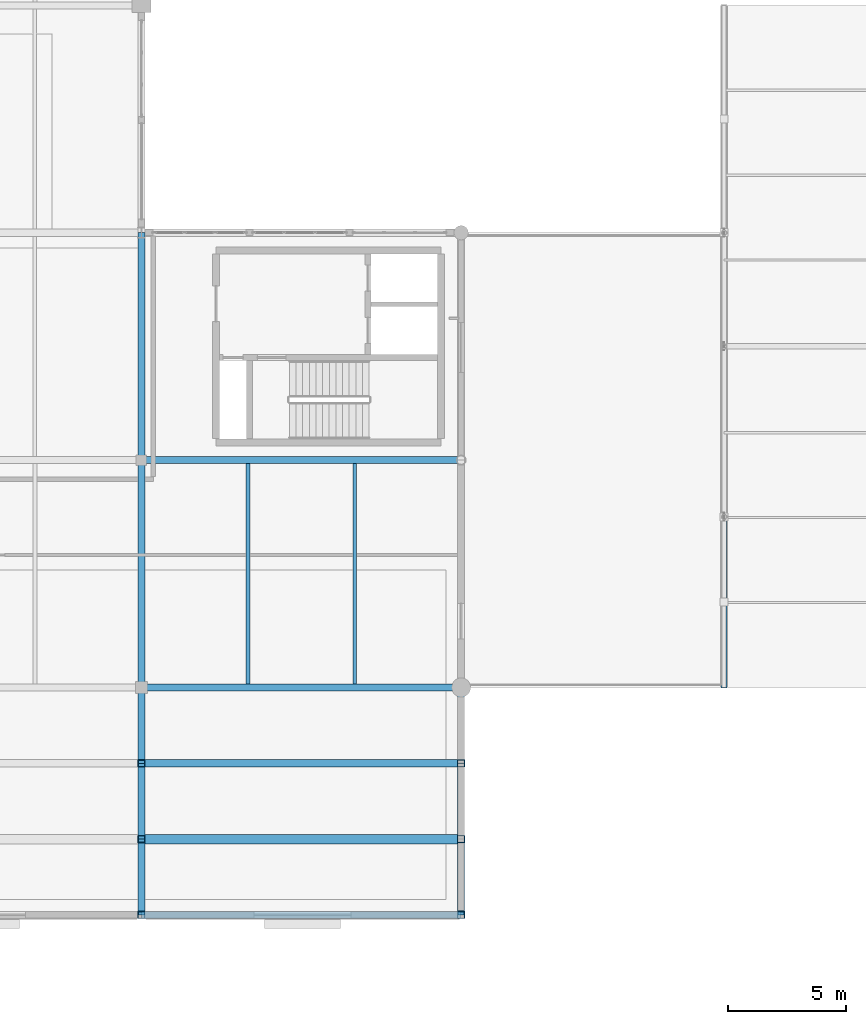
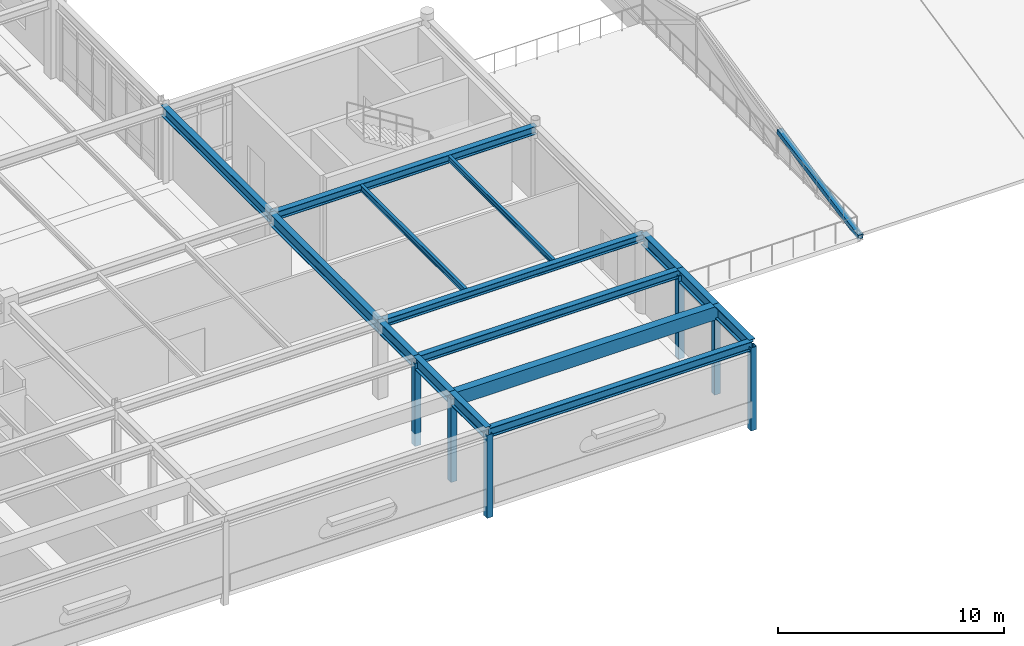
# One storey, part 19 of 61: 15 beams, 7 members.
"""IFC4 building model written with IfcOpenShell, lengths in metres."""

from ifc_helpers import new_model, si_unit, direction, frame, origin, origin_2d, place, context, subcontext, project, spatial, rectangle, hollow_rectangle, i_section, extrude, material, material_profile, profile_set, type_object, element, save


model = new_model("IFC4")

# Units and contexts
model_context = context("Model", 3, precision=1e-05, world=origin(), true_north=direction((0.0, 1.0)))
body_context = subcontext(model_context, "Body", "Model", "MODEL_VIEW")
ifc_project = project(units=[si_unit("LENGTHUNIT", "METRE"), si_unit("AREAUNIT", "SQUARE_METRE"), si_unit("VOLUMEUNIT", "CUBIC_METRE"), si_unit("PLANEANGLEUNIT", "RADIAN"), si_unit("MASSUNIT", "GRAM", prefix="KILO")], contexts=[model_context])

# Site, building, storey
site_placement = place(None, origin())
site = spatial("IfcSite", under=ifc_project, at=site_placement, CompositionType="ELEMENT")
building_placement = place(site_placement, origin())
building = spatial("IfcBuilding", under=site, at=building_placement, Name="Fikremerkos Civic Library", CompositionType="ELEMENT")
storey_placement = place(building_placement, frame((0.0, 0.0, 14.39990234375)))
storey = spatial("IfcBuildingStorey", under=building, at=storey_placement, Name="L03", CompositionType="ELEMENT", Elevation=14.39990234375)

# Beams
ifc_material_1 = material(Name="Steel S355", Category="steel")
ifc_material_profile_1 = material_profile(ifc_material_1, i_section(OverallWidth=0.159912109375, OverallDepth=0.330078125, WebThickness=0.007568359375, FlangeThickness=0.011474609375, FilletRadius=0.01806640625, at=origin_2d()), Name="IPE 330")
ifc_profile_set_1 = profile_set([ifc_material_profile_1], Name="Steel S355")
beam_type_1 = type_object("IfcBeamType", Name="Floor joist JS-10 IPE 330", PredefinedType="JOIST", material=ifc_profile_set_1)
beam_1_placement = place(storey_placement, frame((104.699951171875, 12.14990234375, 3.9951171875), z_axis=(0.0, 1.0, 0.0), x_axis=(-1.0, 0.0, 0.0)))
element("IfcBeam", 1, at=beam_1_placement, inside=storey, type_object=beam_type_1, Name="Floor joist JS-10 L03 #572", PredefinedType="JOIST", context=body_context, shape_type="SweptSolid", body=[
    extrude(i_section(OverallWidth=0.159912109375, OverallDepth=0.330078125, WebThickness=0.007568359375, FlangeThickness=0.011474609375, FilletRadius=0.01806640625, at=origin_2d()), origin(), (0.0, 0.0, 1.0), 9.300048828125),
])
ifc_material_profile_2 = material_profile(ifc_material_1, i_section(OverallWidth=0.14990234375, OverallDepth=0.300048828125, WebThickness=0.007080078125, FlangeThickness=0.0107421875, FilletRadius=0.014892578125, at=origin_2d()), Name="IPE 300")
ifc_profile_set_2 = profile_set([ifc_material_profile_2], Name="Steel S355")
beam_type_2 = type_object("IfcBeamType", Name="Floor joist JS-11 IPE 300", PredefinedType="JOIST", material=ifc_profile_set_2)
beam_2_placement = place(storey_placement, frame((109.199951171875, 12.14990234375, 4.010009765625), z_axis=(0.0, 1.0, 0.0), x_axis=(-1.0, 0.0, 0.0)))
element("IfcBeam", 2, at=beam_2_placement, inside=storey, type_object=beam_type_2, Name="Floor joist JS-11 L03 #573", PredefinedType="JOIST", context=body_context, shape_type="SweptSolid", body=[
    extrude(i_section(OverallWidth=0.14990234375, OverallDepth=0.300048828125, WebThickness=0.007080078125, FlangeThickness=0.0107421875, FilletRadius=0.014892578125, at=origin_2d()), origin(), (0.0, 0.0, 1.0), 9.300048828125),
])

# Members
ifc_material_profile_3 = material_profile(ifc_material_1, hollow_rectangle(XDim=0.300048828125, YDim=0.300048828125, WallThickness=0.012451171875, at=origin_2d()), Name="SHS 300x300x12.5")
ifc_profile_set_3 = profile_set([ifc_material_profile_3], Name="Steel S355")
member_type_1 = type_object("IfcMemberType", Name="Frame post PST-01 SHS 300x300x12.5", PredefinedType="POST", material=ifc_profile_set_3)
for number, where, z_axis, x_axis, name in (
    (3, (100.199951171875, 8.800048828125, -0.664794921875), (0.0, 0.0, 1.0), (1.0, 0.0, 0.0), "Cantilever frame post PST-01 L03 X=100.2 Y=8.8"),
    (4, (100.199951171875, 5.60009765625, -0.664794921875), (0.0, 0.0, 1.0), (1.0, 0.0, 0.0), "Cantilever frame post PST-01 L03 X=100.2 Y=5.6"),
    (5, (100.199951171875, 2.39990234375, -0.664794921875), (0.0, 0.0, 1.0), (1.0, 0.0, 0.0), "Cantilever frame post PST-01 L03 X=100.2 Y=2.4"),
    (6, (113.699951171875, 8.800048828125, -0.664794921875), (0.0, 0.0, 1.0), (1.0, 0.0, 0.0), "Cantilever frame post PST-01 L03 X=113.7 Y=8.8"),
    (7, (113.699951171875, 5.60009765625, -0.664794921875), (0.0, 0.0, 1.0), (1.0, 0.0, 0.0), "Cantilever frame post PST-01 L03 X=113.7 Y=5.6"),
    (8, (113.699951171875, 2.39990234375, -0.664794921875), (0.0, 0.0, 1.0), (1.0, 0.0, 0.0), "Cantilever frame post PST-01 L03 X=113.7 Y=2.4"),
):
    element("IfcMember", number, at=place(storey_placement, frame(where, z_axis=z_axis, x_axis=x_axis)), inside=storey, type_object=member_type_1, Name=name, PredefinedType="POST", context=body_context, shape_type="SweptSolid", body=[
        extrude(hollow_rectangle(XDim=0.300048828125, YDim=0.300048828125, WallThickness=0.012451171875, at=origin_2d()), origin(), (0.0, 0.0, 1.0), 4.5),
    ])

# Beams
ifc_material_profile_4 = material_profile(ifc_material_1, i_section(OverallWidth=0.300048828125, OverallDepth=0.64990234375, WebThickness=0.01611328125, FlangeThickness=0.031005859375, FilletRadius=0.027099609375, at=origin_2d()), Name="HEB 650")
ifc_profile_set_4 = profile_set([ifc_material_profile_4], Name="Steel S355")
beam_type_3 = type_object("IfcBeamType", Name="Primary girder BM-12 HEB 650", PredefinedType="BEAM", material=ifc_profile_set_4)
beam_3_placement = place(storey_placement, frame((100.199951171875, 12.0, 3.835205078125), z_axis=(0.0, 1.0, 0.0), x_axis=(-1.0, 0.0, 0.0)))
element("IfcBeam", 9, at=beam_3_placement, inside=storey, type_object=beam_type_3, Name="Primary girder BM-12 L03 grid 9", PredefinedType="BEAM", context=body_context, shape_type="SweptSolid", body=[
    extrude(i_section(OverallWidth=0.300048828125, OverallDepth=0.64990234375, WebThickness=0.01611328125, FlangeThickness=0.031005859375, FilletRadius=0.027099609375, at=origin_2d()), origin(), (0.0, 0.0, 1.0), 9.60009765625),
])
ifc_material_profile_5 = material_profile(ifc_material_1, i_section(OverallWidth=0.300048828125, OverallDepth=0.550048828125, WebThickness=0.014892578125, FlangeThickness=0.029052734375, FilletRadius=0.027099609375, at=origin_2d()), Name="HEB 550")
ifc_profile_set_5 = profile_set([ifc_material_profile_5], Name="Steel S355")
beam_type_4 = type_object("IfcBeamType", Name="Primary girder BM-14 HEB 550", PredefinedType="BEAM", material=ifc_profile_set_5)
beam_4_placement = place(storey_placement, frame((100.199951171875, 21.60009765625, 3.885009765625), z_axis=(0.0, 1.0, 0.0), x_axis=(-1.0, 0.0, 0.0)))
element("IfcBeam", 10, at=beam_4_placement, inside=storey, type_object=beam_type_4, Name="Primary girder BM-14 L03 grid 9", PredefinedType="BEAM", context=body_context, shape_type="SweptSolid", body=[
    extrude(i_section(OverallWidth=0.300048828125, OverallDepth=0.550048828125, WebThickness=0.014892578125, FlangeThickness=0.029052734375, FilletRadius=0.027099609375, at=origin_2d()), origin(), (0.0, 0.0, 1.0), 9.599853515625),
])
ifc_material_profile_6 = material_profile(ifc_material_1, i_section(OverallWidth=0.300048828125, OverallDepth=0.43994140625, WebThickness=0.011474609375, FlangeThickness=0.02099609375, FilletRadius=0.027099609375, at=origin_2d()), Name="HEA 450")
ifc_profile_set_6 = profile_set([ifc_material_profile_6], Name="Steel S355")
beam_type_5 = type_object("IfcBeamType", Name="Primary girder BM-18 HEA 450", PredefinedType="BEAM", material=ifc_profile_set_6)
beam_5_placement = place(storey_placement, frame((100.199951171875, 21.60009765625, 3.940185546875), z_axis=(1.0, 0.0, 0.0), x_axis=(0.0, 1.0, 0.0)))
element("IfcBeam", 11, at=beam_5_placement, inside=storey, type_object=beam_type_5, Name="Primary girder BM-18 L03 grid F", PredefinedType="BEAM", context=body_context, shape_type="SweptSolid", body=[
    extrude(i_section(OverallWidth=0.300048828125, OverallDepth=0.43994140625, WebThickness=0.011474609375, FlangeThickness=0.02099609375, FilletRadius=0.027099609375, at=origin_2d()), origin(), (0.0, 0.0, 1.0), 13.5),
])
ifc_material_profile_7 = material_profile(ifc_material_1, i_section(OverallWidth=0.300048828125, OverallDepth=0.389892578125, WebThickness=0.010986328125, FlangeThickness=0.01904296875, FilletRadius=0.027099609375, at=origin_2d()), Name="HEA 400")
ifc_profile_set_7 = profile_set([ifc_material_profile_7], Name="Steel S355")
beam_type_6 = type_object("IfcBeamType", Name="Primary girder BM-19 HEA 400", PredefinedType="BEAM", material=ifc_profile_set_7)
beam_6_placement = place(storey_placement, frame((100.199951171875, 12.0, 3.965087890625), z_axis=(1.0, 0.0, 0.0), x_axis=(0.0, 1.0, 0.0)))
element("IfcBeam", 12, at=beam_6_placement, inside=storey, type_object=beam_type_6, Name="Primary girder BM-19 L03 grid E", PredefinedType="BEAM", context=body_context, shape_type="SweptSolid", body=[
    extrude(i_section(OverallWidth=0.300048828125, OverallDepth=0.389892578125, WebThickness=0.010986328125, FlangeThickness=0.01904296875, FilletRadius=0.027099609375, at=origin_2d()), origin(), (0.0, 0.0, 1.0), 13.5),
])
ifc_material_profile_8 = material_profile(ifc_material_1, i_section(OverallWidth=0.300048828125, OverallDepth=0.64990234375, WebThickness=0.01611328125, FlangeThickness=0.031005859375, FilletRadius=0.027099609375, at=origin_2d()), Name="HEB 650")
ifc_profile_set_8 = profile_set([ifc_material_profile_8], Name="Steel S355")
beam_type_7 = type_object("IfcBeamType", Name="Primary girder BM-21 HEB 650", PredefinedType="BEAM", material=ifc_profile_set_8)
for number, where, z_axis, x_axis, name in (
    (13, (100.199951171875, 12.0, 3.835205078125), (0.0, -1.0, 0.0), (1.0, 0.0, 0.0), "Cantilever girder BM-21 L03 X=100.2 #1"),
    (14, (100.199951171875, 8.800048828125, 3.835205078125), (0.0, -1.0, 0.0), (1.0, 0.0, 0.0), "Cantilever girder BM-21 L03 X=100.2 #2"),
):
    element("IfcBeam", number, at=place(storey_placement, frame(where, z_axis=z_axis, x_axis=x_axis)), inside=storey, type_object=beam_type_7, Name=name, PredefinedType="BEAM", context=body_context, shape_type="SweptSolid", body=[
        extrude(i_section(OverallWidth=0.300048828125, OverallDepth=0.64990234375, WebThickness=0.01611328125, FlangeThickness=0.031005859375, FilletRadius=0.027099609375, at=origin_2d()), origin(), (0.0, 0.0, 1.0), 3.199951171875),
    ])
beam_7_placement = place(storey_placement, frame((100.199951171875, 5.60009765625, 3.835205078125), z_axis=(0.0, -1.0, 0.0), x_axis=(1.0, 0.0, 0.0)))
element("IfcBeam", 15, at=beam_7_placement, inside=storey, type_object=beam_type_7, Name="Cantilever girder BM-21 L03 X=100.2 #3", PredefinedType="BEAM", context=body_context, shape_type="SweptSolid", body=[
    extrude(i_section(OverallWidth=0.300048828125, OverallDepth=0.64990234375, WebThickness=0.01611328125, FlangeThickness=0.031005859375, FilletRadius=0.027099609375, at=origin_2d()), origin(), (0.0, 0.0, 1.0), 3.2001953125),
])
for number, where, z_axis, x_axis, name in (
    (16, (113.699951171875, 12.0, 3.835205078125), (0.0, -1.0, 0.0), (1.0, 0.0, 0.0), "Cantilever girder BM-21 L03 X=113.7 #1"),
    (17, (113.699951171875, 8.800048828125, 3.835205078125), (0.0, -1.0, 0.0), (1.0, 0.0, 0.0), "Cantilever girder BM-21 L03 X=113.7 #2"),
):
    element("IfcBeam", number, at=place(storey_placement, frame(where, z_axis=z_axis, x_axis=x_axis)), inside=storey, type_object=beam_type_7, Name=name, PredefinedType="BEAM", context=body_context, shape_type="SweptSolid", body=[
        extrude(i_section(OverallWidth=0.300048828125, OverallDepth=0.64990234375, WebThickness=0.01611328125, FlangeThickness=0.031005859375, FilletRadius=0.027099609375, at=origin_2d()), origin(), (0.0, 0.0, 1.0), 3.199951171875),
    ])
beam_8_placement = place(storey_placement, frame((113.699951171875, 5.60009765625, 3.835205078125), z_axis=(0.0, -1.0, 0.0), x_axis=(1.0, 0.0, 0.0)))
element("IfcBeam", 18, at=beam_8_placement, inside=storey, type_object=beam_type_7, Name="Cantilever girder BM-21 L03 X=113.7 #3", PredefinedType="BEAM", context=body_context, shape_type="SweptSolid", body=[
    extrude(i_section(OverallWidth=0.300048828125, OverallDepth=0.64990234375, WebThickness=0.01611328125, FlangeThickness=0.031005859375, FilletRadius=0.027099609375, at=origin_2d()), origin(), (0.0, 0.0, 1.0), 3.2001953125),
])
ifc_material_2 = material(Name="Concrete C40/50", Category="concrete")
ifc_material_profile_9 = material_profile(ifc_material_2, rectangle(XDim=0.39990234375, YDim=0.719970703125, at=origin_2d()), Name="RC 400x720")
ifc_profile_set_9 = profile_set([ifc_material_profile_9], Name="Concrete C40/50")
beam_type_8 = type_object("IfcBeamType", Name="Spandrel edge beam SPB-03 RC 400x720", PredefinedType="SPANDREL", material=ifc_profile_set_9)
beam_9_placement = place(storey_placement, frame((100.199951171875, 5.60009765625, 3.800048828125), z_axis=(1.0, 0.0, 0.0), x_axis=(0.0, 1.0, 0.0)))
element("IfcBeam", 19, at=beam_9_placement, inside=storey, type_object=beam_type_8, Name="Spandrel edge beam SPB-03 L03 Y=5.6 bay 7", PredefinedType="SPANDREL", context=body_context, shape_type="SweptSolid", body=[
    extrude(rectangle(XDim=0.39990234375, YDim=0.719970703125, at=origin_2d()), origin(), (0.0, 0.0, 1.0), 13.5),
])
ifc_material_profile_10 = material_profile(ifc_material_1, i_section(OverallWidth=0.300048828125, OverallDepth=0.489990234375, WebThickness=0.011962890625, FlangeThickness=0.02294921875, FilletRadius=0.027099609375, at=origin_2d()), Name="HEA 500")
ifc_profile_set_10 = profile_set([ifc_material_profile_10], Name="Steel S355")
beam_type_9 = type_object("IfcBeamType", Name="Spandrel edge beam SPB-04 HEA 500", PredefinedType="SPANDREL", material=ifc_profile_set_10)
beam_10_placement = place(storey_placement, frame((100.199951171875, 2.39990234375, 3.9150390625), z_axis=(1.0, 0.0, 0.0), x_axis=(0.0, 1.0, 0.0)))
element("IfcBeam", 20, at=beam_10_placement, inside=storey, type_object=beam_type_9, Name="Spandrel edge beam SPB-04 L03 Y=2.4 bay 7", PredefinedType="SPANDREL", context=body_context, shape_type="SweptSolid", body=[
    extrude(i_section(OverallWidth=0.300048828125, OverallDepth=0.489990234375, WebThickness=0.011962890625, FlangeThickness=0.02294921875, FilletRadius=0.027099609375, at=origin_2d()), origin(), (0.0, 0.0, 1.0), 13.5),
])
ifc_material_profile_11 = material_profile(ifc_material_1, i_section(OverallWidth=0.300048828125, OverallDepth=0.43994140625, WebThickness=0.011474609375, FlangeThickness=0.02099609375, FilletRadius=0.027099609375, at=origin_2d()), Name="HEA 450")
ifc_profile_set_11 = profile_set([ifc_material_profile_11], Name="Steel S355")
beam_type_10 = type_object("IfcBeamType", Name="Spandrel edge beam SPB-05 HEA 450", PredefinedType="SPANDREL", material=ifc_profile_set_11)
beam_11_placement = place(storey_placement, frame((100.199951171875, 8.800048828125, 3.940185546875), z_axis=(1.0, 0.0, 0.0), x_axis=(0.0, 1.0, 0.0)))
element("IfcBeam", 21, at=beam_11_placement, inside=storey, type_object=beam_type_10, Name="Spandrel edge beam SPB-05 L03 Y=8.8 bay 7", PredefinedType="SPANDREL", context=body_context, shape_type="SweptSolid", body=[
    extrude(i_section(OverallWidth=0.300048828125, OverallDepth=0.43994140625, WebThickness=0.011474609375, FlangeThickness=0.02099609375, FilletRadius=0.027099609375, at=origin_2d()), origin(), (0.0, 0.0, 1.0), 13.5),
])

# Member
ifc_material_profile_12 = material_profile(ifc_material_1, hollow_rectangle(XDim=0.260009765625, YDim=0.260009765625, WallThickness=0.01416015625, at=origin_2d()), Name="SHS 260x260x14.2")
ifc_profile_set_12 = profile_set([ifc_material_profile_12], Name="Steel S355")
member_type_2 = type_object("IfcMemberType", Name="Truss chord CHD-03 SHS 260x260x14.2", PredefinedType="CHORD", material=ifc_profile_set_12)
member_placement = place(storey_placement, frame((124.800048828125, 12.0, 0.0), z_axis=(0.0, 0.981853909493, 0.189638868416), x_axis=(-1.0, 0.0, 0.0)))
element("IfcMember", 22, at=member_placement, inside=storey, type_object=member_type_2, Name="Auditorium roof truss top chord CHD-03 X=124.8 #1", PredefinedType="CHORD", context=body_context, shape_type="SweptSolid", body=[
    extrude(hollow_rectangle(XDim=0.260009765625, YDim=0.260009765625, WallThickness=0.01416015625, at=origin_2d()), origin(), (0.0, 0.0, 1.0), 7.3330078125),
])

save(model, "model.ifc")
